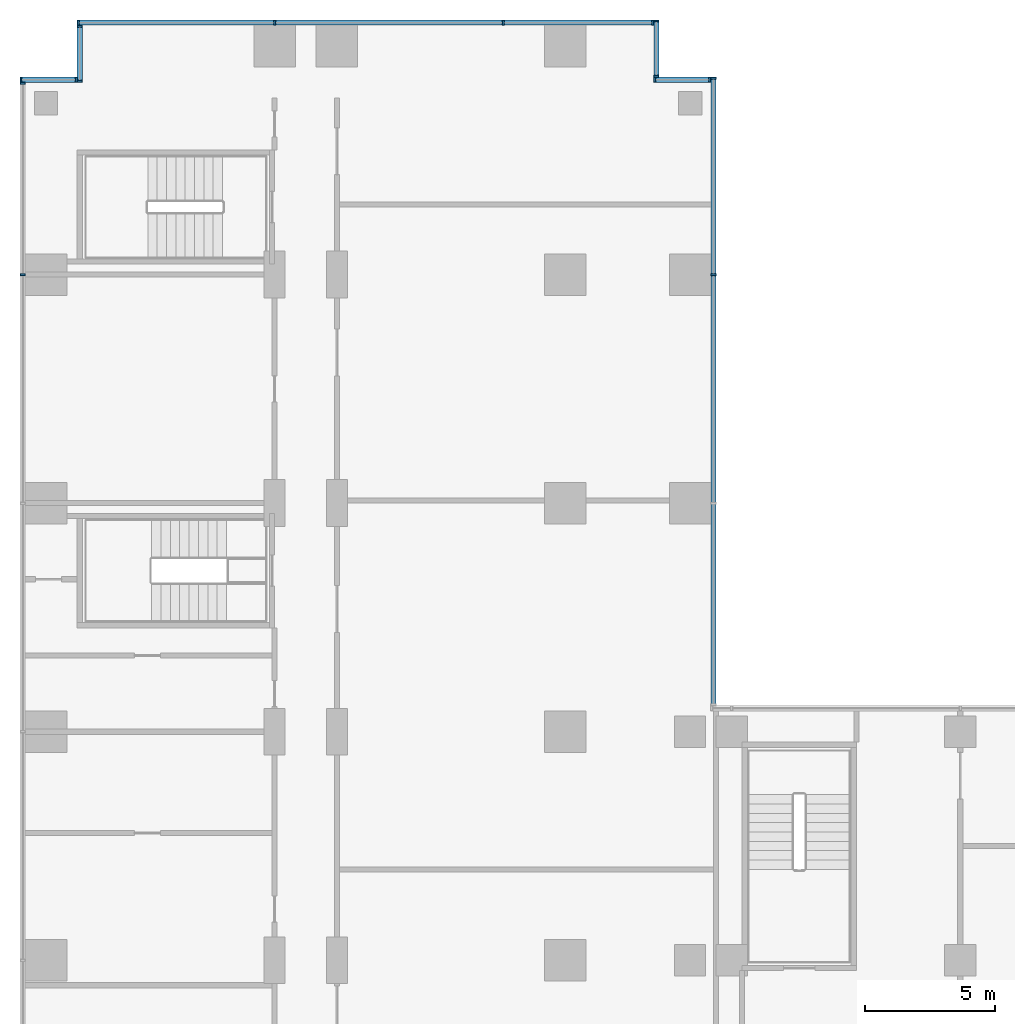
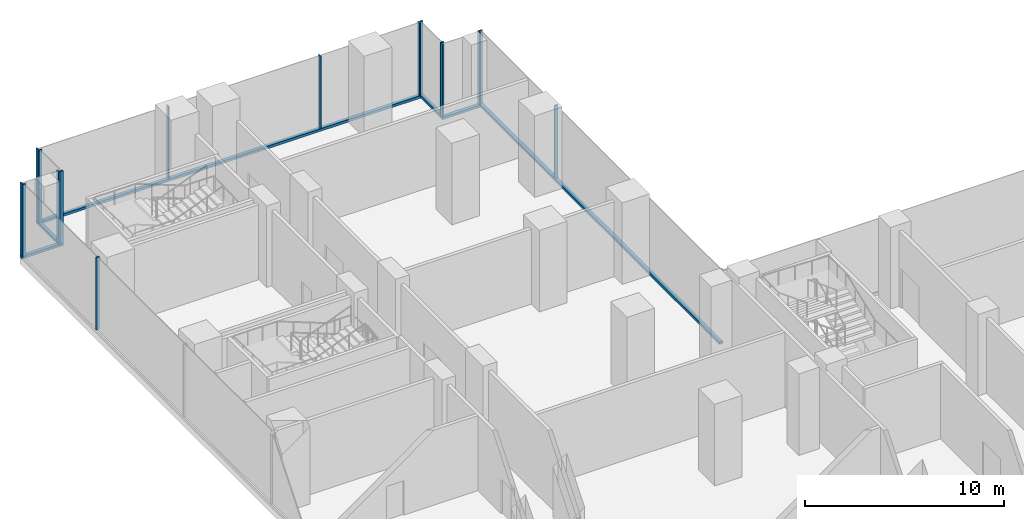
# One storey, part 11 of 30: 22 members, 7 elements without a shape of their own.
"""IFC4 building model written with IfcOpenShell, lengths in metres."""

from ifc_helpers import new_model, si_unit, direction, frame, origin, origin_2d, place, context, subcontext, project, spatial, rectangle, extrude, source, transform, mapped, material, material_profile, profile_set, type_object, element, aggregate, save


model = new_model("IFC4")

# Units and contexts
model_context = context("Model", 3, precision=1e-05, world=origin(), true_north=direction((0.0, 1.0)))
body_context = subcontext(model_context, "Body", "Model", "MODEL_VIEW")
ifc_project = project(units=[si_unit("LENGTHUNIT", "METRE"), si_unit("AREAUNIT", "SQUARE_METRE"), si_unit("VOLUMEUNIT", "CUBIC_METRE"), si_unit("PLANEANGLEUNIT", "RADIAN"), si_unit("MASSUNIT", "GRAM", prefix="KILO")], contexts=[model_context])

# Site, building, storey
site_placement = place(None, origin())
site = spatial("IfcSite", under=ifc_project, at=site_placement, CompositionType="ELEMENT")
building_placement = place(site_placement, origin())
building = spatial("IfcBuilding", under=site, at=building_placement, Name="Kemantara Hotel Tower", CompositionType="ELEMENT")
storey_placement = place(building_placement, frame((0.0, 0.0, 13.0)))
storey = spatial("IfcBuildingStorey", under=building, at=storey_placement, Name="L02", CompositionType="ELEMENT", Elevation=13.0)

# Curtain wall, member
ifc_material_1 = material(Name="Laminated tinted insulated glass 44 mm", Category="glass")
curtain_wall_type = type_object("IfcCurtainWallType", Name="PODIUM GLASS CURTAIN WALL", PredefinedType="USERDEFINED", material=ifc_material_1)
curtain_wall_1_placement = place(storey_placement, origin())
curtain_wall_1 = element("IfcCurtainWall", 1, at=curtain_wall_1_placement, inside=storey, type_object=curtain_wall_type, Name="CW1 L02 POD-R10-1", ObjectType="PODIUM GLASS CURTAIN WALL", PredefinedType="USERDEFINED")
ifc_material_2 = material(Name="Aluminium 6063-T6 bronze anodised", Category="aluminium")
ifc_material_profile_1 = material_profile(ifc_material_2, rectangle(XDim=0.199951171875, YDim=0.14990234375, at=origin_2d()), Name="PODIUM GLASS CURTAIN WALL TRANSOM")
ifc_profile_set_1 = profile_set([ifc_material_profile_1], Name="Aluminium 6063-T6 bronze anodised")
member_type_1 = type_object("IfcMemberType", Name="PODIUM GLASS CURTAIN WALL TRANSOM", PredefinedType="USERDEFINED", material=ifc_profile_set_1)
member_1_placement = place(storey_placement, frame((26.699951171875, 54.800048828125, 0.074951171875), z_axis=(0.0, 1.0, 0.0), x_axis=(-1.0, 0.0, 0.0)))
member_1 = element("IfcMember", 2, at=member_1_placement, type_object=member_type_1, Name="CW1 sill transom POD-R10-1", ObjectType="TRANSOM", PredefinedType="USERDEFINED", context=body_context, shape_type="SweptSolid", body=[
    extrude(rectangle(XDim=0.199951171875, YDim=0.14990234375, at=origin_2d()), origin(), (0.0, 0.0, 1.0), 24.199951171875),
])

curtain_wall_2_placement = place(storey_placement, origin())
curtain_wall_2 = element("IfcCurtainWall", 3, at=curtain_wall_2_placement, inside=storey, type_object=curtain_wall_type, Name="CW1 L02 POD-R13-1", ObjectType="PODIUM GLASS CURTAIN WALL", PredefinedType="USERDEFINED")
member_2_placement = place(storey_placement, frame((24.39990234375, 81.10009765625, 0.074951171875), z_axis=(-1.0, 0.0, 0.0), x_axis=(0.0, -1.0, 0.0)))
member_2 = element("IfcMember", 4, at=member_2_placement, type_object=member_type_1, Name="CW1 sill transom POD-R13-1", ObjectType="TRANSOM", PredefinedType="USERDEFINED", context=body_context, shape_type="SweptSolid", body=[
    extrude(rectangle(XDim=0.199951171875, YDim=0.14990234375, at=origin_2d()), origin(), (0.0, 0.0, 1.0), 22.199951171875),
])

curtain_wall_3_placement = place(storey_placement, origin())
curtain_wall_3 = element("IfcCurtainWall", 5, at=curtain_wall_3_placement, inside=storey, type_object=curtain_wall_type, Name="CW1 L02 POD-R11-1", ObjectType="PODIUM GLASS CURTAIN WALL", PredefinedType="USERDEFINED")
member_3_placement = place(storey_placement, frame((26.60009765625, 78.89990234375, 0.074951171875), z_axis=(-1.0, 0.0, 0.0), x_axis=(0.0, -1.0, 0.0)))
member_3 = element("IfcMember", 6, at=member_3_placement, type_object=member_type_1, Name="CW1 sill transom POD-R11-1", ObjectType="TRANSOM", PredefinedType="USERDEFINED", context=body_context, shape_type="SweptSolid", body=[
    extrude(rectangle(XDim=0.199951171875, YDim=0.14990234375, at=origin_2d()), origin(), (0.0, 0.0, 1.0), 2.2001953125),
])

curtain_wall_4_placement = place(storey_placement, origin())
curtain_wall_4 = element("IfcCurtainWall", 7, at=curtain_wall_4_placement, inside=storey, type_object=curtain_wall_type, Name="CW1 L02 POD-R12-1", ObjectType="PODIUM GLASS CURTAIN WALL", PredefinedType="USERDEFINED")
member_4_placement = place(storey_placement, frame((24.5, 79.0, 0.074951171875), z_axis=(0.0, 1.0, 0.0), x_axis=(-1.0, 0.0, 0.0)))
member_4 = element("IfcMember", 8, at=member_4_placement, type_object=member_type_1, Name="CW1 sill transom POD-R12-1", ObjectType="TRANSOM", PredefinedType="USERDEFINED", context=body_context, shape_type="SweptSolid", body=[
    extrude(rectangle(XDim=0.199951171875, YDim=0.14990234375, at=origin_2d()), origin(), (0.0, 0.0, 1.0), 2.199951171875),
])

curtain_wall_5_placement = place(storey_placement, origin())
curtain_wall_5 = element("IfcCurtainWall", 9, at=curtain_wall_5_placement, inside=storey, type_object=curtain_wall_type, Name="CW1 L02 POD-R14-1", ObjectType="PODIUM GLASS CURTAIN WALL", PredefinedType="USERDEFINED")
member_5_placement = place(storey_placement, frame((2.300048828125, 81.0, 0.074951171875), z_axis=(0.0, -1.0, 0.0), x_axis=(1.0, 0.0, 0.0)))
member_5 = element("IfcMember", 10, at=member_5_placement, type_object=member_type_1, Name="CW1 sill transom POD-R14-1", ObjectType="TRANSOM", PredefinedType="USERDEFINED", context=body_context, shape_type="SweptSolid", body=[
    extrude(rectangle(XDim=0.199951171875, YDim=0.14990234375, at=origin_2d()), origin(), (0.0, 0.0, 1.0), 2.199951171875),
])

curtain_wall_6_placement = place(storey_placement, origin())
curtain_wall_6 = element("IfcCurtainWall", 11, at=curtain_wall_6_placement, inside=storey, type_object=curtain_wall_type, Name="CW1 L02 POD-R15-1", ObjectType="PODIUM GLASS CURTAIN WALL", PredefinedType="USERDEFINED")
member_6_placement = place(storey_placement, frame((2.199951171875, 78.89990234375, 0.074951171875), z_axis=(-1.0, 0.0, 0.0), x_axis=(0.0, -1.0, 0.0)))
member_6 = element("IfcMember", 12, at=member_6_placement, type_object=member_type_1, Name="CW1 sill transom POD-R15-1", ObjectType="TRANSOM", PredefinedType="USERDEFINED", context=body_context, shape_type="SweptSolid", body=[
    extrude(rectangle(XDim=0.199951171875, YDim=0.14990234375, at=origin_2d()), origin(), (0.0, 0.0, 1.0), 2.199951171875),
])

# Member
ifc_material_profile_2 = material_profile(ifc_material_2, rectangle(XDim=0.199951171875, YDim=0.074951171875, at=origin_2d()), Name="PODIUM GLASS CURTAIN WALL MULLION")
ifc_profile_set_2 = profile_set([ifc_material_profile_2], Name="Aluminium 6063-T6 bronze anodised")
member_type_2 = type_object("IfcMemberType", Name="PODIUM GLASS CURTAIN WALL MULLION", PredefinedType="MULLION", material=ifc_profile_set_2)
shared_shape = source(origin(), body_context, "Body", "SweptSolid", [
    extrude(rectangle(XDim=0.199951171875, YDim=0.074951171875, at=origin_2d()), origin(), (0.0, 0.0, 1.0), 4.4501953125),
])
member_7_placement = place(storey_placement, frame((26.699951171875, 71.39990234375, 0.14990234375), z_axis=(0.0, 0.0, 1.0), x_axis=(-1.0, 0.0, 0.0)))
member_7 = element("IfcMember", 13, at=member_7_placement, type_object=member_type_2, Name="CW1 mullion POD-R10-1.3", PredefinedType="MULLION", context=body_context, shape_type="MappedRepresentation", body=[
    mapped(shared_shape, transform((0.0, 0.0, 0.0))),
])

member_8_placement = place(storey_placement, frame((26.699951171875, 78.96240234375, 0.14990234375), z_axis=(0.0, 0.0, 1.0), x_axis=(-1.0, 0.0, 0.0)))
member_8 = element("IfcMember", 14, at=member_8_placement, type_object=member_type_2, Name="CW1 mullion POD-R10-1.4", PredefinedType="MULLION", context=body_context, shape_type="MappedRepresentation", body=[
    mapped(shared_shape, transform((0.0, 0.0, 0.0))),
])

aggregate(curtain_wall_1, [member_1, member_7, member_8])

member_9_placement = place(storey_placement, frame((24.362548828125, 81.10009765625, 0.14990234375), z_axis=(0.0, 0.0, 1.0), x_axis=(0.0, -1.0, 0.0)))
member_9 = element("IfcMember", 15, at=member_9_placement, type_object=member_type_2, Name="CW1 mullion POD-R13-1.1", PredefinedType="MULLION", context=body_context, shape_type="MappedRepresentation", body=[
    mapped(shared_shape, transform((0.0, 0.0, 0.0))),
])

member_10_placement = place(storey_placement, frame((18.60009765625, 81.10009765625, 0.14990234375), z_axis=(0.0, 0.0, 1.0), x_axis=(0.0, -1.0, 0.0)))
member_10 = element("IfcMember", 16, at=member_10_placement, type_object=member_type_2, Name="CW1 mullion POD-R13-1.2", PredefinedType="MULLION", context=body_context, shape_type="MappedRepresentation", body=[
    mapped(shared_shape, transform((0.0, 0.0, 0.0))),
])

member_11_placement = place(storey_placement, frame((9.800048828125, 81.10009765625, 0.14990234375), z_axis=(0.0, 0.0, 1.0), x_axis=(0.0, -1.0, 0.0)))
member_11 = element("IfcMember", 17, at=member_11_placement, type_object=member_type_2, Name="CW1 mullion POD-R13-1.3", PredefinedType="MULLION", context=body_context, shape_type="MappedRepresentation", body=[
    mapped(shared_shape, transform((0.0, 0.0, 0.0))),
])

member_12_placement = place(storey_placement, frame((2.237548828125, 81.10009765625, 0.14990234375), z_axis=(0.0, 0.0, 1.0), x_axis=(0.0, -1.0, 0.0)))
member_12 = element("IfcMember", 18, at=member_12_placement, type_object=member_type_2, Name="CW1 mullion POD-R13-1.4", PredefinedType="MULLION", context=body_context, shape_type="MappedRepresentation", body=[
    mapped(shared_shape, transform((0.0, 0.0, 0.0))),
])

aggregate(curtain_wall_2, [member_2, member_9, member_10, member_11, member_12])

# Curtain wall, members
curtain_wall_7_placement = place(storey_placement, origin())
curtain_wall_7 = element("IfcCurtainWall", 19, at=curtain_wall_7_placement, inside=storey, type_object=curtain_wall_type, Name="CW1 L02 POD-R16-1", ObjectType="PODIUM GLASS CURTAIN WALL", PredefinedType="USERDEFINED")
member_13_placement = place(storey_placement, frame((0.10009765625, 78.762451171875, 0.14990234375), z_axis=(0.0, 0.0, 1.0), x_axis=(1.0, 0.0, 0.0)))
member_13 = element("IfcMember", 20, at=member_13_placement, type_object=member_type_2, Name="CW1 mullion POD-R16-1.1", PredefinedType="MULLION", context=body_context, shape_type="MappedRepresentation", body=[
    mapped(shared_shape, transform((0.0, 0.0, 0.0))),
])
member_14_placement = place(storey_placement, frame((0.10009765625, 71.39990234375, 0.14990234375), z_axis=(0.0, 0.0, 1.0), x_axis=(1.0, 0.0, 0.0)))
member_14 = element("IfcMember", 21, at=member_14_placement, type_object=member_type_2, Name="CW1 mullion POD-R16-1.2", PredefinedType="MULLION", context=body_context, shape_type="MappedRepresentation", body=[
    mapped(shared_shape, transform((0.0, 0.0, 0.0))),
])
aggregate(curtain_wall_7, [member_13, member_14])

# Member
member_15_placement = place(storey_placement, frame((26.5625, 78.89990234375, 0.14990234375), z_axis=(0.0, 0.0, 1.0), x_axis=(0.0, -1.0, 0.0)))
member_15 = element("IfcMember", 22, at=member_15_placement, type_object=member_type_2, Name="CW1 mullion POD-R11-1.1", PredefinedType="MULLION", context=body_context, shape_type="MappedRepresentation", body=[
    mapped(shared_shape, transform((0.0, 0.0, 0.0))),
])

member_16_placement = place(storey_placement, frame((24.4375, 78.89990234375, 0.14990234375), z_axis=(0.0, 0.0, 1.0), x_axis=(0.0, -1.0, 0.0)))
member_16 = element("IfcMember", 23, at=member_16_placement, type_object=member_type_2, Name="CW1 mullion POD-R11-1.2", PredefinedType="MULLION", context=body_context, shape_type="MappedRepresentation", body=[
    mapped(shared_shape, transform((0.0, 0.0, 0.0))),
])

aggregate(curtain_wall_3, [member_3, member_15, member_16])

member_17_placement = place(storey_placement, frame((24.5, 79.03759765625, 0.14990234375), z_axis=(0.0, 0.0, 1.0), x_axis=(-1.0, 0.0, 0.0)))
member_17 = element("IfcMember", 24, at=member_17_placement, type_object=member_type_2, Name="CW1 mullion POD-R12-1.1", PredefinedType="MULLION", context=body_context, shape_type="MappedRepresentation", body=[
    mapped(shared_shape, transform((0.0, 0.0, 0.0))),
])

member_18_placement = place(storey_placement, frame((24.5, 81.16259765625, 0.14990234375), z_axis=(0.0, 0.0, 1.0), x_axis=(-1.0, 0.0, 0.0)))
member_18 = element("IfcMember", 25, at=member_18_placement, type_object=member_type_2, Name="CW1 mullion POD-R12-1.2", PredefinedType="MULLION", context=body_context, shape_type="MappedRepresentation", body=[
    mapped(shared_shape, transform((0.0, 0.0, 0.0))),
])

aggregate(curtain_wall_4, [member_4, member_17, member_18])

member_19_placement = place(storey_placement, frame((2.300048828125, 80.96240234375, 0.14990234375), z_axis=(0.0, 0.0, 1.0), x_axis=(1.0, 0.0, 0.0)))
member_19 = element("IfcMember", 26, at=member_19_placement, type_object=member_type_2, Name="CW1 mullion POD-R14-1.1", PredefinedType="MULLION", context=body_context, shape_type="MappedRepresentation", body=[
    mapped(shared_shape, transform((0.0, 0.0, 0.0))),
])

member_20_placement = place(storey_placement, frame((2.300048828125, 78.83740234375, 0.14990234375), z_axis=(0.0, 0.0, 1.0), x_axis=(1.0, 0.0, 0.0)))
member_20 = element("IfcMember", 27, at=member_20_placement, type_object=member_type_2, Name="CW1 mullion POD-R14-1.2", PredefinedType="MULLION", context=body_context, shape_type="MappedRepresentation", body=[
    mapped(shared_shape, transform((0.0, 0.0, 0.0))),
])

aggregate(curtain_wall_5, [member_5, member_19, member_20])

member_21_placement = place(storey_placement, frame((2.16259765625, 78.89990234375, 0.14990234375), z_axis=(0.0, 0.0, 1.0), x_axis=(0.0, -1.0, 0.0)))
member_21 = element("IfcMember", 28, at=member_21_placement, type_object=member_type_2, Name="CW1 mullion POD-R15-1.1", PredefinedType="MULLION", context=body_context, shape_type="MappedRepresentation", body=[
    mapped(shared_shape, transform((0.0, 0.0, 0.0))),
])

member_22_placement = place(storey_placement, frame((0.03759765625, 78.89990234375, 0.14990234375), z_axis=(0.0, 0.0, 1.0), x_axis=(0.0, -1.0, 0.0)))
member_22 = element("IfcMember", 29, at=member_22_placement, type_object=member_type_2, Name="CW1 mullion POD-R15-1.2", PredefinedType="MULLION", context=body_context, shape_type="MappedRepresentation", body=[
    mapped(shared_shape, transform((0.0, 0.0, 0.0))),
])

aggregate(curtain_wall_6, [member_6, member_21, member_22])

save(model, "model.ifc")
